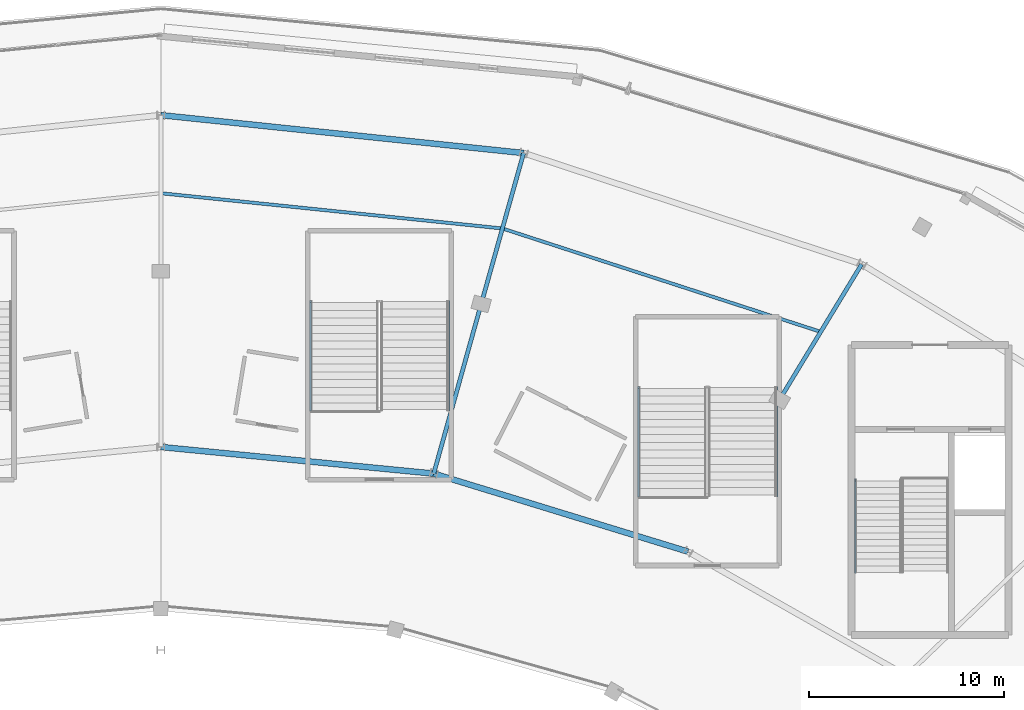
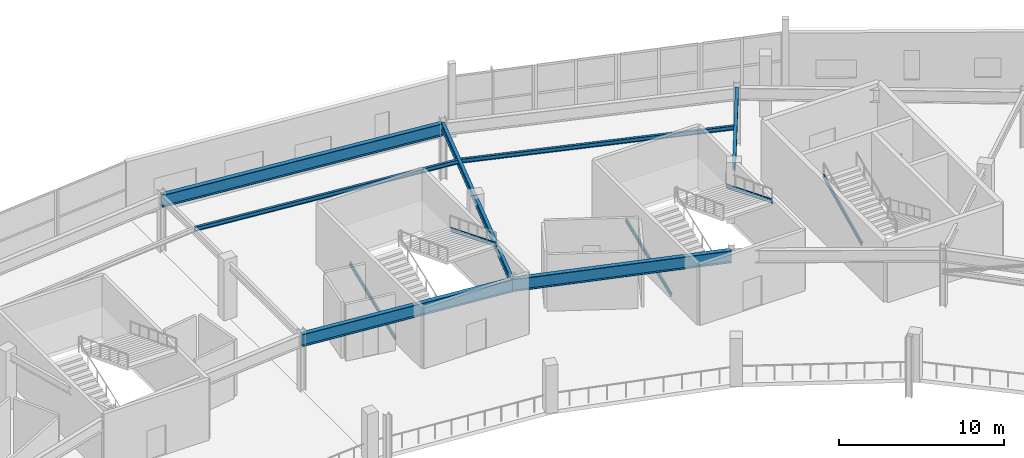
# One storey, part 53 of 123: 8 beams, 5 members.
"""IFC4 building model written with IfcOpenShell, lengths in metres."""

from ifc_helpers import new_model, si_unit, direction, frame, origin, origin_2d, place, context, subcontext, project, spatial, i_section, extrude, material, material_profile, profile_set, type_object, element, save


model = new_model("IFC4")

# Units and contexts
model_context = context("Model", 3, precision=1e-05, world=origin(), true_north=direction((0.0, 1.0)))
body_context = subcontext(model_context, "Body", "Model", "MODEL_VIEW")
ifc_project = project(units=[si_unit("LENGTHUNIT", "METRE"), si_unit("AREAUNIT", "SQUARE_METRE"), si_unit("VOLUMEUNIT", "CUBIC_METRE"), si_unit("PLANEANGLEUNIT", "RADIAN"), si_unit("MASSUNIT", "GRAM", prefix="KILO")], contexts=[model_context])

# Site, building, storey
site_placement = place(None, origin())
site = spatial("IfcSite", under=ifc_project, at=site_placement, CompositionType="ELEMENT")
building_placement = place(site_placement, origin())
building = spatial("IfcBuilding", under=site, at=building_placement, Name="Kalgoora Escarpment Arena", CompositionType="ELEMENT")
storey_placement = place(building_placement, frame((0.0, 0.0, 9.89990234375)))
storey = spatial("IfcBuildingStorey", under=building, at=storey_placement, Name="L02", CompositionType="ELEMENT", Elevation=9.89990234375)

# Beams
ifc_material_1 = material(Name="Structural steel AS/NZS 3679 (300 MPa)", Category="steel")
ifc_material_profile_1 = material_profile(ifc_material_1, i_section(OverallWidth=0.166015625, OverallDepth=0.306884765625, WebThickness=0.006591796875, FlangeThickness=0.01171875, at=origin_2d()))
ifc_profile_set_1 = profile_set([ifc_material_profile_1], Name="Structural steel AS/NZS 3679 (300 MPa)")
beam_type_1 = type_object("IfcBeamType", Name="BM-BEAM-310UB46.2", PredefinedType="BEAM", material=ifc_profile_set_1)
beam_1_placement = place(storey_placement, frame((126.199951171875, 109.8994140625, 4.046630859375), z_axis=(-0.951103123122, 0.308873516489, 0.0), x_axis=(-0.308873516489, -0.951103123122, 0.0)))
element("IfcBeam", 1, at=beam_1_placement, inside=storey, type_object=beam_type_1, Name="L02 Concourse secondary ring beam 310UB46.2", PredefinedType="BEAM", context=body_context, shape_type="SweptSolid", body=[
    extrude(i_section(OverallWidth=0.166015625, OverallDepth=0.306884765625, WebThickness=0.006591796875, FlangeThickness=0.01171875, at=origin_2d()), origin(), (0.0, 0.0, 1.0), 17.141845703125),
])
beam_2_placement = place(storey_placement, frame((109.896240234375, 115.194091796875, 4.03662109375), z_axis=(-0.99471538009, 0.10267089467, 0.0), x_axis=(-0.10267089467, -0.99471538009, 0.0)))
element("IfcBeam", 2, at=beam_2_placement, inside=storey, type_object=beam_type_1, Name="L02 Concourse secondary ring beam 310UB46.2", PredefinedType="BEAM", context=body_context, shape_type="SweptSolid", body=[
    extrude(i_section(OverallWidth=0.166015625, OverallDepth=0.306884765625, WebThickness=0.006591796875, FlangeThickness=0.01171875, at=origin_2d()), origin(), (0.0, 0.0, 1.0), 17.58935546875),
])
ifc_material_2 = material(Name="Structural steel AS/NZS 3679 (300 MPa)", Category="steel")
ifc_material_profile_2 = material_profile(ifc_material_2, i_section(OverallWidth=0.208984375, OverallDepth=0.528076171875, WebThickness=0.009521484375, FlangeThickness=0.01318359375, at=origin_2d()))
ifc_profile_set_2 = profile_set([ifc_material_profile_2], Name="Structural steel AS/NZS 3679 (300 MPa)")
beam_type_2 = type_object("IfcBeamType", Name="BM-GIRDER-530UB82.0", PredefinedType="USERDEFINED", material=ifc_profile_set_2)
beam_3_placement = place(storey_placement, frame((124.10009765625, 106.435302734375, 3.93603515625), z_axis=(0.518407902139, 0.85513346736, 0.0), x_axis=(-0.85513346736, 0.518407902139, 0.0)))
element("IfcBeam", 3, at=beam_3_placement, inside=storey, type_object=beam_type_2, Name="L02 Radial concourse girder 530UB82.0", ObjectType="GIRDER", PredefinedType="USERDEFINED", context=body_context, shape_type="SweptSolid", body=[
    extrude(i_section(OverallWidth=0.208984375, OverallDepth=0.528076171875, WebThickness=0.009521484375, FlangeThickness=0.01318359375, at=origin_2d()), origin(), (0.0, 0.0, 1.0), 8.1015625),
])
beam_4_placement = place(storey_placement, frame((106.376220703125, 102.636962890625, 3.93603515625), z_axis=(0.269498512386, 0.963000805722, 0.0), x_axis=(-0.963000805722, 0.269498512386, 0.0)))
element("IfcBeam", 4, at=beam_4_placement, inside=storey, type_object=beam_type_2, Name="L02 Radial concourse girder 530UB82.0", ObjectType="GIRDER", PredefinedType="USERDEFINED", context=body_context, shape_type="SweptSolid", body=[
    extrude(i_section(OverallWidth=0.208984375, OverallDepth=0.528076171875, WebThickness=0.009521484375, FlangeThickness=0.01318359375, at=origin_2d()), origin(), (0.0, 0.0, 1.0), 9.02734375),
])
beam_5_placement = place(storey_placement, frame((108.80908203125, 111.330322265625, 3.93603515625), z_axis=(0.27082660355, 0.962628147734, 0.0), x_axis=(-0.962628147734, 0.27082660355, 0.0)))
element("IfcBeam", 5, at=beam_5_placement, inside=storey, type_object=beam_type_2, Name="L02 Radial concourse girder 530UB82.0", ObjectType="GIRDER", PredefinedType="USERDEFINED", context=body_context, shape_type="SweptSolid", body=[
    extrude(i_section(OverallWidth=0.208984375, OverallDepth=0.528076171875, WebThickness=0.009521484375, FlangeThickness=0.01318359375, at=origin_2d()), origin(), (0.0, 0.0, 1.0), 8.027587890625),
])
ifc_material_3 = material(Name="Structural steel Grade 350 (350 MPa)", Category="steel")
ifc_material_profile_3 = material_profile(ifc_material_3, i_section(OverallWidth=0.300048828125, OverallDepth=0.909912109375, WebThickness=0.011962890625, FlangeThickness=0.028076171875, at=origin_2d()))
ifc_profile_set_3 = profile_set([ifc_material_profile_3], Name="Structural steel Grade 350 (350 MPa)")
beam_type_3 = type_object("IfcBeamType", Name="BM-GIRDER-900WB218", PredefinedType="USERDEFINED", material=ifc_profile_set_3)
beam_6_placement = place(storey_placement, frame((119.39990234375, 98.64111328125, 3.7451171875), z_axis=(-0.956014681671, 0.293318817038, 0.0), x_axis=(-0.293318817038, -0.956014681671, 0.0)))
element("IfcBeam", 6, at=beam_6_placement, inside=storey, type_object=beam_type_3, Name="L02 Circumferential concourse girder RMAIN 900WB218", ObjectType="GIRDER", PredefinedType="USERDEFINED", context=body_context, shape_type="SweptSolid", body=[
    extrude(i_section(OverallWidth=0.300048828125, OverallDepth=0.909912109375, WebThickness=0.011962890625, FlangeThickness=0.028076171875, at=origin_2d()), origin(), (0.0, 0.0, 1.0), 13.622802734375),
])
beam_7_placement = place(storey_placement, frame((106.376220703125, 102.636962890625, 3.735107421875), z_axis=(-0.995278116569, 0.097064260569, 0.0), x_axis=(-0.097064260569, -0.995278116569, 0.0)))
element("IfcBeam", 7, at=beam_7_placement, inside=storey, type_object=beam_type_3, Name="L02 Circumferential concourse girder RMAIN 900WB218", ObjectType="GIRDER", PredefinedType="USERDEFINED", context=body_context, shape_type="SweptSolid", body=[
    extrude(i_section(OverallWidth=0.300048828125, OverallDepth=0.909912109375, WebThickness=0.011962890625, FlangeThickness=0.028076171875, at=origin_2d()), origin(), (0.0, 0.0, 1.0), 14.042724609375),
])
ifc_material_4 = material(Name="Structural steel Grade 350 (350 MPa)", Category="steel")
ifc_material_profile_4 = material_profile(ifc_material_4, i_section(OverallWidth=0.300048828125, OverallDepth=0.909912109375, WebThickness=0.011962890625, FlangeThickness=0.028076171875, at=origin_2d()))
ifc_profile_set_4 = profile_set([ifc_material_profile_4], Name="Structural steel Grade 350 (350 MPa)")
beam_type_4 = type_object("IfcBeamType", Name="BM-SPANDREL-900WB218", PredefinedType="SPANDREL", material=ifc_profile_set_4)
beam_8_placement = place(storey_placement, frame((110.983154296875, 119.057861328125, 3.735107421875), z_axis=(-0.994583146525, 0.103944045753, 0.0), x_axis=(-0.103944045753, -0.994583146525, 0.0)))
element("IfcBeam", 8, at=beam_8_placement, inside=storey, type_object=beam_type_4, Name="L02 Circumferential concourse girder RCONC2 900WB218", PredefinedType="SPANDREL", context=body_context, shape_type="SweptSolid", body=[
    extrude(i_section(OverallWidth=0.300048828125, OverallDepth=0.909912109375, WebThickness=0.011962890625, FlangeThickness=0.028076171875, at=origin_2d()), origin(), (0.0, 0.0, 1.0), 18.6845703125),
])

# Members
ifc_material_5 = material(Name="Structural steel AS/NZS 3679 (300 MPa)", Category="steel")
ifc_material_profile_5 = material_profile(ifc_material_5, i_section(OverallWidth=0.090087890625, OverallDepth=0.300048828125, WebThickness=0.008056640625, FlangeThickness=0.01611328125, at=origin_2d()))
ifc_profile_set_5 = profile_set([ifc_material_profile_5], Name="Structural steel AS/NZS 3679 (300 MPa)")
member_type = type_object("IfcMemberType", Name="MEM-STRINGER-PFC", PredefinedType="STRINGER", material=ifc_profile_set_5)
member_placement = place(storey_placement, frame((127.969970703125, 97.590087890625, 2.210205078125), z_axis=(0.0, 0.902682652253, 0.430306901317), x_axis=(-1.0, 0.0, 0.0)))
element("IfcMember", 9, at=member_placement, inside=storey, type_object=member_type, Name="ST04 L02 steel stair stringer 2", PredefinedType="STRINGER", context=body_context, shape_type="SweptSolid", body=[
    extrude(i_section(OverallWidth=0.090087890625, OverallDepth=0.300048828125, WebThickness=0.008056640625, FlangeThickness=0.01611328125, at=origin_2d()), origin(), (0.0, 0.0, 1.0), 5.228759765625),
])
for number, where, z_axis, x_axis, name in (
    (10, (100.070068359375, 105.889892578125, -0.039794921875), (0.0, 0.926975796404, 0.375121144273), (-1.0, 0.0, 0.0), "ST11 L02 steel stair stringer 1"),
    (11, (107.1298828125, 111.449951171875, 2.210205078125), (0.0, -0.926975796404, 0.375121144273), (1.0, 0.0, 0.0), "ST11 L02 steel stair stringer 2"),
    (12, (116.8701171875, 101.489990234375, -0.039794921875), (0.0, 0.926975796404, 0.375121144273), (-1.0, 0.0, 0.0), "ST12 L02 steel stair stringer 1"),
    (13, (123.929931640625, 107.050048828125, 2.210205078125), (0.0, -0.926975796404, 0.375121144273), (1.0, 0.0, 0.0), "ST12 L02 steel stair stringer 2"),
):
    element("IfcMember", number, at=place(storey_placement, frame(where, z_axis=z_axis, x_axis=x_axis)), inside=storey, type_object=member_type, Name=name, PredefinedType="STRINGER", context=body_context, shape_type="SweptSolid", body=[
        extrude(i_section(OverallWidth=0.090087890625, OverallDepth=0.300048828125, WebThickness=0.008056640625, FlangeThickness=0.01611328125, at=origin_2d()), origin(), (0.0, 0.0, 1.0), 5.998046875),
    ])

save(model, "model.ifc")
